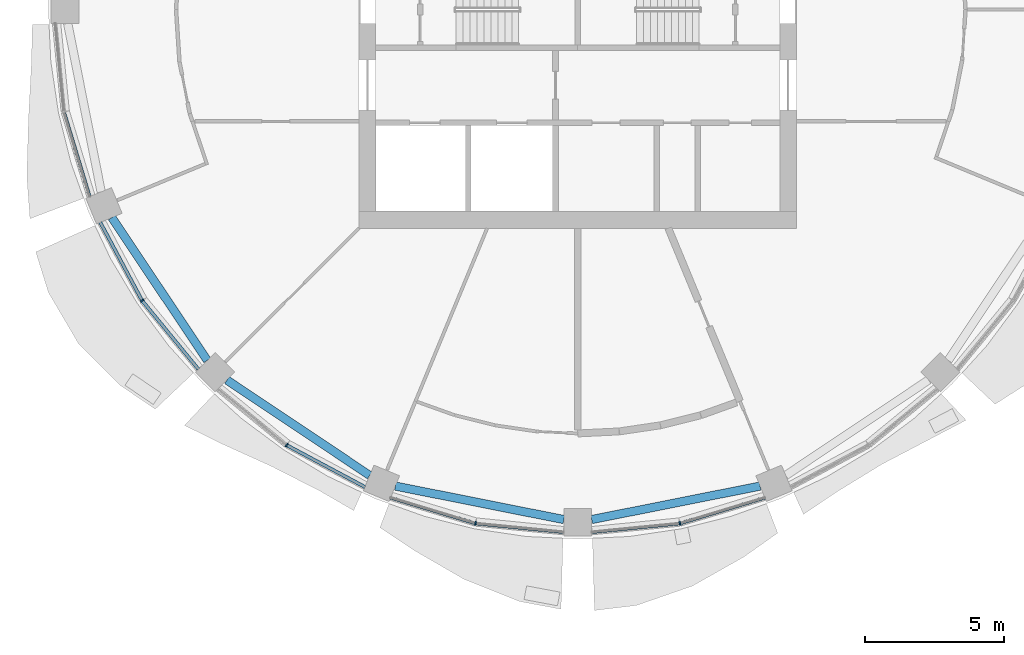
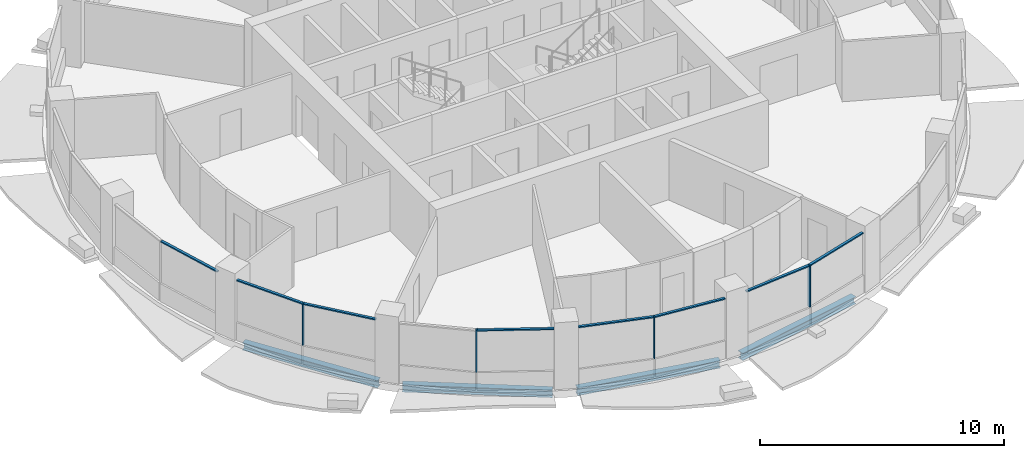
# One storey, part 2 of 15: 12 members, 4 beams, 5 elements without a shape of their own.
"""IFC4 building model written with IfcOpenShell, lengths in metres."""

import ifcopenshell
import ifcopenshell.guid

model = None  # the IFC model being written
_history = None  # IfcOwnerHistory: only IFC2X3 demands one
_inside = {}  # id of a spatial element -> (the spatial element, [elements in it])
_under = {}  # id of a project, library or spatial element -> (it, [spatial elements below it])
_declared = {}  # id of a project -> (the project, [libraries it declares])
_typed = {}  # id of a type object -> (the type object, [elements of that type])
_made_of = {}  # id of a material, layer set ... -> (it, [elements and type objects made of it])


def new_model(schema):
    """Start an empty IFC model of exactly this schema.

    Asked for "IFC4X3", IfcOpenShell would pick the latest addendum, in which some entities
    have other attributes; the version numbers below select the first issue.
    IFC2X3 requires an IfcOwnerHistory on every rooted entity: one is made here for all.
    """
    global model, _history
    if schema == "IFC4X3":
        model = ifcopenshell.file(schema_version=(4, 3, 0, 0))
    else:
        model = ifcopenshell.file(schema=schema)
    _inside.clear()
    _under.clear()
    _declared.clear()
    _typed.clear()
    _made_of.clear()
    _history = None
    if model.schema == "IFC2X3":
        org = make("IfcOrganization", Name="unknown")
        user = make(
            "IfcPersonAndOrganization",
            ThePerson=make("IfcPerson", FamilyName="unknown"),
            TheOrganization=org,
        )
        app = make(
            "IfcApplication",
            ApplicationDeveloper=org,
            Version="unknown",
            ApplicationFullName="unknown",
            ApplicationIdentifier="unknown",
        )
        _history = make(
            "IfcOwnerHistory",
            OwningUser=user,
            OwningApplication=app,
            ChangeAction="ADDED",
            CreationDate=0,
        )
    return model


def make(cls, **values):
    """One entity of the class cls with the attributes given. An attribute that is None is left unset."""
    return model.create_entity(
        cls, **{name: value for name, value in values.items() if value is not None}
    )


def rooted(cls, **values):
    """An entity with a GlobalId (a new one), such as an element, a storey or a relation."""
    return make(cls, GlobalId=ifcopenshell.guid.new(), OwnerHistory=_history, **values)


def si_unit(unit_type, name, prefix=None):
    """IfcSIUnit, for example si_unit("LENGTHUNIT", "METRE", prefix="MILLI")."""
    return make("IfcSIUnit", UnitType=unit_type, Prefix=prefix, Name=name)


def assignment(units):
    """IfcUnitAssignment: the units of a project."""
    return None if units is None else make("IfcUnitAssignment", Units=units)


def point(xyz):
    """IfcCartesianPoint."""
    return None if xyz is None else make("IfcCartesianPoint", Coordinates=xyz)


def direction(xyz):
    """IfcDirection."""
    return None if xyz is None else make("IfcDirection", DirectionRatios=xyz)


def frame(location, z_axis=None, x_axis=None):
    """IfcAxis2Placement3D, a coordinate frame: its origin and axes. An axis left out is left unset."""
    return make(
        "IfcAxis2Placement3D",
        Location=point(location),
        Axis=direction(z_axis),
        RefDirection=direction(x_axis),
    )


def frame_2d(location, x_axis=None):
    """IfcAxis2Placement2D, a coordinate frame in the plane: its origin and x axis."""
    return make(
        "IfcAxis2Placement2D", Location=point(location), RefDirection=direction(x_axis)
    )


def origin():
    """The frame at (0, 0, 0) with its axes left unset."""
    return frame((0.0, 0.0, 0.0))


def origin_2d():
    """The frame at (0, 0) in the plane with its x axis left unset."""
    return frame_2d((0.0, 0.0))


def place(relative_to, where):
    """IfcLocalPlacement: puts the frame where relative to a parent placement (None: the world)."""
    return make(
        "IfcLocalPlacement", PlacementRelTo=relative_to, RelativePlacement=where
    )


def context(
    kind, dimensions, precision=None, world=None, true_north=None, identifier=None
):
    """IfcGeometricRepresentationContext, for example the 3D "Model" context."""
    return make(
        "IfcGeometricRepresentationContext",
        ContextIdentifier=identifier,
        ContextType=kind,
        CoordinateSpaceDimension=dimensions,
        Precision=precision,
        WorldCoordinateSystem=world,
        TrueNorth=true_north,
    )


def subcontext(parent, identifier, kind, view, scale=None):
    """IfcGeometricRepresentationSubContext, for example "Body" below "Model"."""
    return make(
        "IfcGeometricRepresentationSubContext",
        ContextIdentifier=identifier,
        ContextType=kind,
        ParentContext=parent,
        TargetScale=scale,
        TargetView=view,
    )


def project(units=None, contexts=None):
    """IfcProject with its units and contexts."""
    return rooted(
        "IfcProject",
        Name="project",
        RepresentationContexts=contexts,
        UnitsInContext=assignment(units),
    )


def spatial(cls, under=None, at=None, **own):
    """A site, building, storey or space (cls), placed at a placement, below another one or the project."""
    s = rooted(cls, ObjectPlacement=at, **own)
    if under is not None:
        _under.setdefault(under.id(), (under, []))[1].append(s)
    return s


def profile(cls, at=None, kind="AREA", **sizes):
    """A parametric profile (cls). Its sizes go by their IFC names, for example OverallWidth=200.0."""
    return make(cls, ProfileType=kind, Position=at, **sizes)


def rectangle(**sizes):
    """IfcRectangleProfileDef."""
    return profile("IfcRectangleProfileDef", **sizes)


def i_section(**sizes):
    """IfcIShapeProfileDef."""
    return profile("IfcIShapeProfileDef", **sizes)


def extrude(swept, where, along, depth):
    """IfcExtrudedAreaSolid: the profile swept, set in the frame where, extruded along a direction by depth."""
    return make(
        "IfcExtrudedAreaSolid",
        SweptArea=swept,
        Position=where,
        ExtrudedDirection=direction(along),
        Depth=depth,
    )


def shape(context_of_items, identifier, shape_type, items):
    """IfcShapeRepresentation: the items that make up one representation, for example the "Body"."""
    return make(
        "IfcShapeRepresentation",
        ContextOfItems=context_of_items,
        RepresentationIdentifier=identifier,
        RepresentationType=shape_type,
        Items=items,
    )


def material(Name=None, Category=None):
    """IfcMaterial."""
    return make("IfcMaterial", Name=Name, Category=Category)


def material_profile(
    of_material, cross_section, Name=None, Category=None, Priority=None
):
    """IfcMaterialProfile: a cross section and its material."""
    return make(
        "IfcMaterialProfile",
        Name=Name,
        Material=of_material,
        Profile=cross_section,
        Priority=Priority,
        Category=Category,
    )


def profile_set(profiles, Name=None, composite=None):
    """IfcMaterialProfileSet."""
    return make(
        "IfcMaterialProfileSet",
        Name=Name,
        MaterialProfiles=profiles,
        CompositeProfile=composite,
    )


def made_of(thing, what):
    """Note that an element or type object is made of a material, layer set ...; save() writes the relation."""
    if what is not None:
        _made_of.setdefault(what.id(), (what, []))[1].append(thing)
    return thing


def type_object(cls, material=None, **own):
    """A type object (cls), such as IfcWallType, which elements share."""
    return made_of(rooted(cls, **own), material)


def element(
    cls,
    number,
    at=None,
    inside=None,
    cuts=None,
    type_object=None,
    material=None,
    context=None,
    identifier="Body",
    shape_type=None,
    held_by="IfcProductDefinitionShape",
    body=None,
    shapes=None,
    **own,
):
    """One element of the class cls, such as IfcWall. Its Tag is "e" and its number.

    at: its placement. inside: the storey or other place that contains it. cuts: it is an
    opening in that element (IfcRelVoidsElement). A single representation is given by context,
    identifier, shape_type and body (its items); several are given by shapes. held_by: the class
    of the entity that holds the representations. save() writes the other relations.
    """
    e = rooted(cls, Tag="e%d" % number, ObjectPlacement=at, **own)
    if body is not None:
        shapes = [shape(context, identifier, shape_type, body)]
    if shapes is not None:
        e.Representation = make(held_by, Representations=shapes)
    if inside is not None:
        _inside.setdefault(inside.id(), (inside, []))[1].append(e)
    if cuts is not None:
        rooted(
            "IfcRelVoidsElement", RelatingBuildingElement=cuts, RelatedOpeningElement=e
        )
    if type_object is not None:
        _typed.setdefault(type_object.id(), (type_object, []))[1].append(e)
    return made_of(e, material)


def aggregate(whole, parts):
    """IfcRelAggregates: a whole, such as a stair, and the parts it consists of."""
    return rooted("IfcRelAggregates", RelatingObject=whole, RelatedObjects=parts)


def save(model, path):
    """Write the relations noted so far, then the file.

    IfcRelAggregates (storeys below a building ...), IfcRelContainedInSpatialStructure (elements
    in a storey), IfcRelDefinesByType, IfcRelAssociatesMaterial and IfcRelDeclares: one each for
    every whole, place, type object, material and project.
    """
    for whole, parts in _under.values():
        aggregate(whole, parts)
    for where, things in _inside.values():
        rooted(
            "IfcRelContainedInSpatialStructure",
            RelatedElements=things,
            RelatingStructure=where,
        )
    for kind, things in _typed.values():
        rooted("IfcRelDefinesByType", RelatedObjects=things, RelatingType=kind)
    for what, things in _made_of.values():
        rooted("IfcRelAssociatesMaterial", RelatedObjects=things, RelatingMaterial=what)
    for by, libraries in _declared.values():
        rooted("IfcRelDeclares", RelatingContext=by, RelatedDefinitions=libraries)
    model.write(path)


model = new_model("IFC4")

# Units and contexts
model_context = context("Model", 3, precision=1e-05, world=origin(), true_north=direction((0.0, 1.0)))
body_context = subcontext(model_context, "Body", "Model", "MODEL_VIEW")
ifc_project = project(units=[si_unit("LENGTHUNIT", "METRE"), si_unit("AREAUNIT", "SQUARE_METRE"), si_unit("VOLUMEUNIT", "CUBIC_METRE"), si_unit("PLANEANGLEUNIT", "RADIAN"), si_unit("MASSUNIT", "GRAM", prefix="KILO")], contexts=[model_context])

# Site, building, storey
site_placement = place(None, origin())
site = spatial("IfcSite", under=ifc_project, at=site_placement, CompositionType="ELEMENT")
building_placement = place(site_placement, origin())
building = spatial("IfcBuilding", under=site, at=building_placement, Name="Polderwave Tower", CompositionType="ELEMENT")
storey_placement = place(building_placement, frame((0.0, 0.0, 127.64990234375)))
storey = spatial("IfcBuildingStorey", under=building, at=storey_placement, Name="L33", CompositionType="ELEMENT", Elevation=127.64990234375)

# Curtain wall, member
ifc_material_1 = material(Name="Aluminium 6063-T6 and glass", Category="aluminium")
curtain_wall_type = type_object("IfcCurtainWallType", Name="Office ribbon glazing wall", PredefinedType="NOTDEFINED", material=ifc_material_1)
curtain_wall_1_placement = place(storey_placement, origin())
curtain_wall_1 = element("IfcCurtainWall", 1, at=curtain_wall_1_placement, inside=storey, type_object=curtain_wall_type, Name="CW3 L33 09", PredefinedType="NOTDEFINED")
ifc_material_2 = material(Name="Aluminium 6063-T6", Category="aluminium")
ifc_material_profile_1 = material_profile(ifc_material_2, rectangle(XDim=0.139892578125, YDim=0.054931640625, at=origin_2d()), Name="AL 55x140")
ifc_profile_set_1 = profile_set([ifc_material_profile_1], Name="Aluminium 6063-T6")
member_type_1 = type_object("IfcMemberType", Name="Office ribbon glazing mullion 55x140", PredefinedType="MULLION", material=ifc_profile_set_1)
member_1_placement = place(storey_placement, frame((-15.681884765625, -10.47802734375, 0.900146484375), z_axis=(0.0, 0.0, 1.0), x_axis=(0.831453127836, 0.555594902975, 0.0)))
member_1 = element("IfcMember", 2, at=member_1_placement, type_object=member_type_1, Name="CW3 mullion 1", PredefinedType="MULLION", context=body_context, shape_type="SweptSolid", body=[
    extrude(rectangle(XDim=0.139892578125, YDim=0.054931640625, at=origin_2d()), origin(), (0.0, 0.0, 1.0), 2.099853515625),
])

curtain_wall_2_placement = place(storey_placement, origin())
curtain_wall_2 = element("IfcCurtainWall", 3, at=curtain_wall_2_placement, inside=storey, type_object=curtain_wall_type, Name="CW3 L33 10", PredefinedType="NOTDEFINED")
member_2_placement = place(storey_placement, frame((-10.47802734375, -15.681884765625, 0.900146484375), z_axis=(0.0, 0.0, 1.0), x_axis=(0.555594902975, 0.831453127836, 0.0)))
member_2 = element("IfcMember", 4, at=member_2_placement, type_object=member_type_1, Name="CW3 mullion 1", PredefinedType="MULLION", context=body_context, shape_type="SweptSolid", body=[
    extrude(rectangle(XDim=0.139892578125, YDim=0.054931640625, at=origin_2d()), origin(), (0.0, 0.0, 1.0), 2.099853515625),
])

curtain_wall_3_placement = place(storey_placement, origin())
curtain_wall_3 = element("IfcCurtainWall", 5, at=curtain_wall_3_placement, inside=storey, type_object=curtain_wall_type, Name="CW3 L33 11", PredefinedType="NOTDEFINED")
member_3_placement = place(storey_placement, frame((-3.678955078125, -18.498046875, 0.900146484375), z_axis=(0.0, 0.0, 1.0), x_axis=(0.195127981324, 0.98077778875, 0.0)))
member_3 = element("IfcMember", 6, at=member_3_placement, type_object=member_type_1, Name="CW3 mullion 1", PredefinedType="MULLION", context=body_context, shape_type="SweptSolid", body=[
    extrude(rectangle(XDim=0.139892578125, YDim=0.054931640625, at=origin_2d()), origin(), (0.0, 0.0, 1.0), 2.099853515625),
])

curtain_wall_4_placement = place(storey_placement, origin())
curtain_wall_4 = element("IfcCurtainWall", 7, at=curtain_wall_4_placement, inside=storey, type_object=curtain_wall_type, Name="CW3 L33 12", PredefinedType="NOTDEFINED")
member_4_placement = place(storey_placement, frame((3.678955078125, -18.498046875, 0.900146484375), z_axis=(0.0, 0.0, 1.0), x_axis=(-0.195127981324, 0.98077778875, 0.0)))
member_4 = element("IfcMember", 8, at=member_4_placement, type_object=member_type_1, Name="CW3 mullion 1", PredefinedType="MULLION", context=body_context, shape_type="SweptSolid", body=[
    extrude(rectangle(XDim=0.139892578125, YDim=0.054931640625, at=origin_2d()), origin(), (0.0, 0.0, 1.0), 2.099853515625),
])

curtain_wall_5_placement = place(storey_placement, origin())
curtain_wall_5 = element("IfcCurtainWall", 9, at=curtain_wall_5_placement, inside=storey, type_object=curtain_wall_type, Name="CW3 L33 08", PredefinedType="NOTDEFINED")
ifc_material_profile_2 = material_profile(ifc_material_2, rectangle(XDim=0.1201171875, YDim=0.06005859375, at=origin_2d()), Name="AL 60x120")
ifc_profile_set_2 = profile_set([ifc_material_profile_2], Name="Aluminium 6063-T6")
member_type_2 = type_object("IfcMemberType", Name="Office ribbon glazing transom 60x120", PredefinedType="USERDEFINED", material=ifc_profile_set_2)
member_5_placement = place(storey_placement, frame((-18.489990234375, -3.705322265625, 2.97021484375), z_axis=(0.290358126892, -0.95691805195, 0.0), x_axis=(0.95691805195, 0.290358126892, 0.0)))
member_5 = element("IfcMember", 10, at=member_5_placement, type_object=member_type_2, Name="CW3 transom 2", ObjectType="TRANSOM", PredefinedType="USERDEFINED", context=body_context, shape_type="SweptSolid", body=[
    extrude(rectangle(XDim=0.1201171875, YDim=0.06005859375, at=origin_2d()), origin(), (0.0, 0.0, 1.0), 3.168212890625),
])
aggregate(curtain_wall_5, [member_5])

# Member
member_6_placement = place(storey_placement, frame((-17.18798828125, -7.660888671875, 2.97021484375), z_axis=(0.471440336956, -0.881897958208, 0.0), x_axis=(0.881897958208, 0.471440336956, 0.0)))
member_6 = element("IfcMember", 11, at=member_6_placement, type_object=member_type_2, Name="CW3 transom 1", ObjectType="TRANSOM", PredefinedType="USERDEFINED", context=body_context, shape_type="SweptSolid", body=[
    extrude(rectangle(XDim=0.1201171875, YDim=0.06005859375, at=origin_2d()), origin(), (0.0, 0.0, 1.0), 3.166748046875),
])

member_7_placement = place(storey_placement, frame((-15.66455078125, -10.499267578125, 2.97021484375), z_axis=(0.634374481569, -0.773025883871, 0.0), x_axis=(0.773025883871, 0.634374481569, 0.0)))
member_7 = element("IfcMember", 12, at=member_7_placement, type_object=member_type_2, Name="CW3 transom 2", ObjectType="TRANSOM", PredefinedType="USERDEFINED", context=body_context, shape_type="SweptSolid", body=[
    extrude(rectangle(XDim=0.1201171875, YDim=0.06005859375, at=origin_2d()), origin(), (0.0, 0.0, 1.0), 3.167724609375),
])

aggregate(curtain_wall_1, [member_1, member_6, member_7])

member_8_placement = place(storey_placement, frame((-10.45361328125, -15.695068359375, 2.97021484375), z_axis=(0.881897958208, -0.471440336956, 0.0), x_axis=(0.471440336956, 0.881897958208, 0.0)))
member_8 = element("IfcMember", 13, at=member_8_placement, type_object=member_type_2, Name="CW3 transom 2", ObjectType="TRANSOM", PredefinedType="USERDEFINED", context=body_context, shape_type="SweptSolid", body=[
    extrude(rectangle(XDim=0.1201171875, YDim=0.06005859375, at=origin_2d()), origin(), (0.0, 0.0, 1.0), 3.166748046875),
])

aggregate(curtain_wall_2, [member_2, member_8])

member_9_placement = place(storey_placement, frame((-6.737060546875, -17.570068359375, 2.97021484375), z_axis=(0.95691805195, -0.290358126892, 0.0), x_axis=(0.290358126892, 0.95691805195, 0.0)))
member_9 = element("IfcMember", 14, at=member_9_placement, type_object=member_type_2, Name="CW3 transom 1", ObjectType="TRANSOM", PredefinedType="USERDEFINED", context=body_context, shape_type="SweptSolid", body=[
    extrude(rectangle(XDim=0.1201171875, YDim=0.06005859375, at=origin_2d()), origin(), (0.0, 0.0, 1.0), 3.168212890625),
])

member_10_placement = place(storey_placement, frame((-3.651611328125, -18.500732421875, 2.97021484375), z_axis=(0.9951879261, -0.09798465056, 0.0), x_axis=(0.09798465056, 0.9951879261, 0.0)))
member_10 = element("IfcMember", 15, at=member_10_placement, type_object=member_type_2, Name="CW3 transom 2", ObjectType="TRANSOM", PredefinedType="USERDEFINED", context=body_context, shape_type="SweptSolid", body=[
    extrude(rectangle(XDim=0.1201171875, YDim=0.06005859375, at=origin_2d()), origin(), (0.0, 0.0, 1.0), 3.166748046875),
])

aggregate(curtain_wall_3, [member_3, member_9, member_10])

member_11_placement = place(storey_placement, frame((0.5, -18.81103515625, 2.97021484375), z_axis=(0.9951879261, 0.09798465056, 0.0), x_axis=(-0.09798465056, 0.9951879261, 0.0)))
member_11 = element("IfcMember", 16, at=member_11_placement, type_object=member_type_2, Name="CW3 transom 1", ObjectType="TRANSOM", PredefinedType="USERDEFINED", context=body_context, shape_type="SweptSolid", body=[
    extrude(rectangle(XDim=0.1201171875, YDim=0.06005859375, at=origin_2d()), origin(), (0.0, 0.0, 1.0), 3.166748046875),
])

member_12_placement = place(storey_placement, frame((3.705322265625, -18.489990234375, 2.97021484375), z_axis=(0.95691805195, 0.290358126892, 0.0), x_axis=(-0.290358126892, 0.95691805195, 0.0)))
member_12 = element("IfcMember", 17, at=member_12_placement, type_object=member_type_2, Name="CW3 transom 2", ObjectType="TRANSOM", PredefinedType="USERDEFINED", context=body_context, shape_type="SweptSolid", body=[
    extrude(rectangle(XDim=0.1201171875, YDim=0.06005859375, at=origin_2d()), origin(), (0.0, 0.0, 1.0), 3.168212890625),
])

aggregate(curtain_wall_4, [member_4, member_11, member_12])

# Beams
ifc_material_3 = material(Name="Steel S355", Category="steel")
ifc_material_profile_3 = material_profile(ifc_material_3, i_section(OverallWidth=0.300048828125, OverallDepth=0.360107421875, WebThickness=0.012451171875, FlangeThickness=0.0224609375, at=origin_2d()), Name="HE 360 B")
ifc_profile_set_3 = profile_set([ifc_material_profile_3], Name="Steel S355")
beam_type = type_object("IfcBeamType", Name="RING BEAM HE 360 B", PredefinedType="BEAM", material=ifc_profile_set_3)
for number, where, z_axis, x_axis, name in (
    (18, (-16.771484375, -7.48828125, -0.52978515625), (0.555556426907, -0.831478837086, 0.0), (0.831478837086, 0.555556426907, 0.0), "ST-RB-L33-09"),
    (19, (-12.62939453125, -13.33642578125, -0.52978515625), (0.831478837086, -0.555556426907, 0.0), (0.555556426907, 0.831478837086, 0.0), "ST-RB-L33-10"),
):
    element("IfcBeam", number, at=place(storey_placement, frame(where, z_axis=z_axis, x_axis=x_axis)), inside=storey, type_object=beam_type, Name=name, PredefinedType="BEAM", context=body_context, shape_type="SweptSolid", body=[
        extrude(i_section(OverallWidth=0.300048828125, OverallDepth=0.360107421875, WebThickness=0.012451171875, FlangeThickness=0.0224609375, at=origin_2d()), origin(), (0.0, 0.0, 1.0), 6.18310546875),
    ])
for number, where, z_axis, x_axis, name in (
    (20, (-6.564453125, -17.154296875, -0.52978515625), (0.980785153523, -0.195090959886, 0.0), (0.195090959886, 0.980785153523, 0.0), "ST-RB-L33-11"),
    (21, (0.5, -18.360595703125, -0.52978515625), (0.980785153523, 0.195090959886, 0.0), (-0.195090959886, 0.980785153523, 0.0), "ST-RB-L33-12"),
):
    element("IfcBeam", number, at=place(storey_placement, frame(where, z_axis=z_axis, x_axis=x_axis)), inside=storey, type_object=beam_type, Name=name, PredefinedType="BEAM", context=body_context, shape_type="SweptSolid", body=[
        extrude(i_section(OverallWidth=0.300048828125, OverallDepth=0.360107421875, WebThickness=0.012451171875, FlangeThickness=0.0224609375, at=origin_2d()), origin(), (0.0, 0.0, 1.0), 6.183349609375),
    ])

save(model, "model.ifc")
